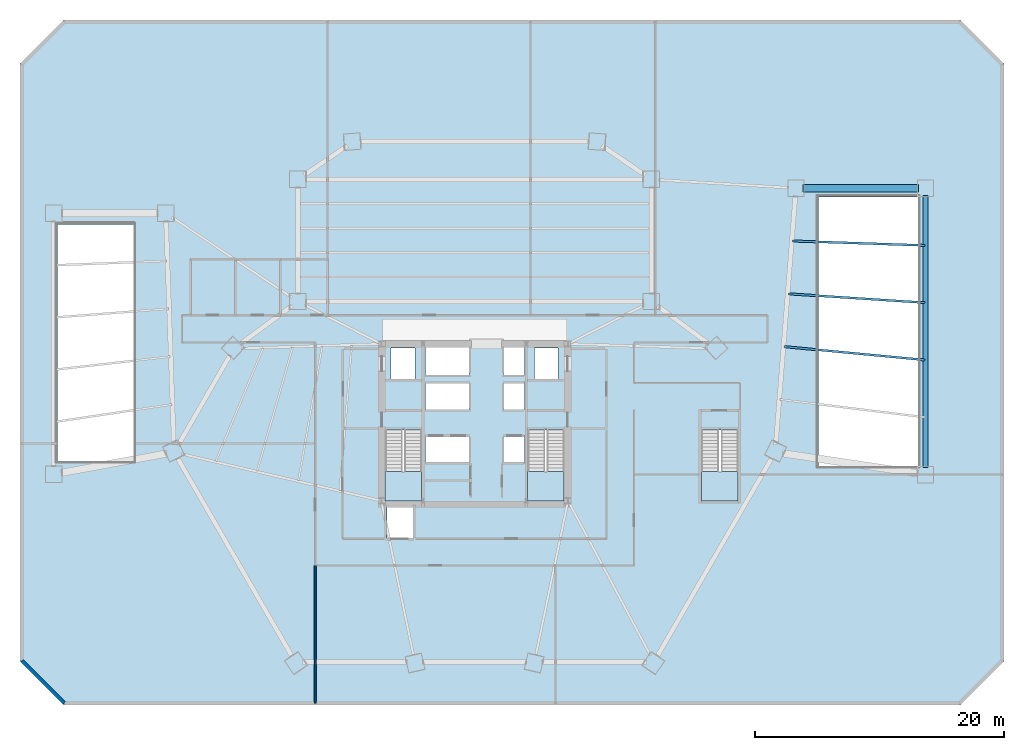
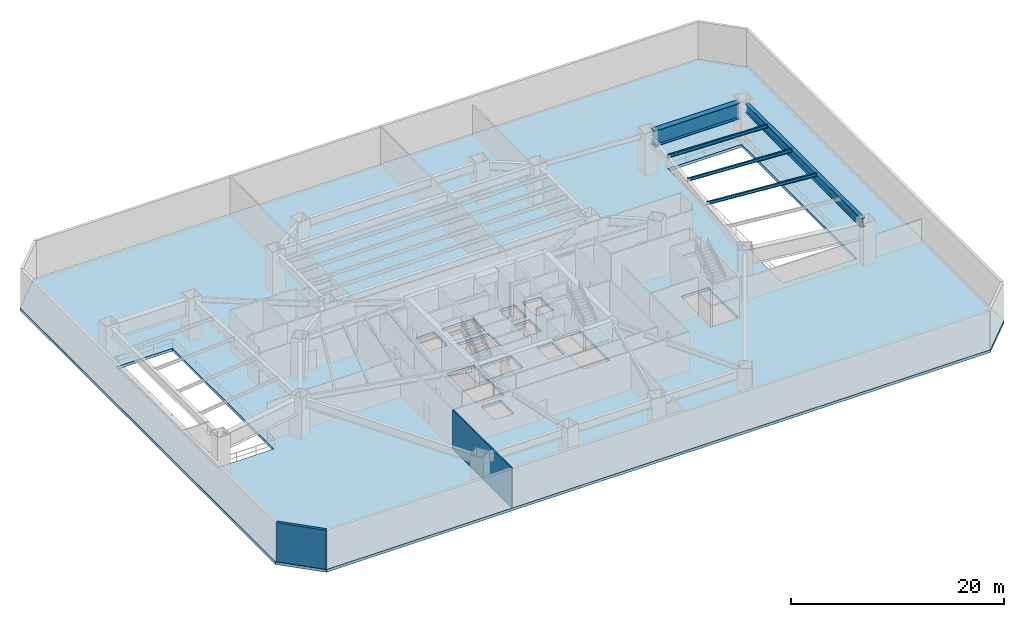
# One storey, part 4 of 11: 5 beams, 4 slabs, 2 walls, 3 elements without a shape of their own.
"""IFC4 building model written with IfcOpenShell, lengths in metres."""

from ifc_helpers import new_model, si_unit, direction, frame, frame_2d, origin, origin_2d, place, context, subcontext, project, spatial, polyline, rectangle, i_section, outline, extrude, source, transform, mapped, material, layer, layer_set, material_profile, profile_set, type_object, type_shapes, element, aggregate, save


model = new_model("IFC4")

# Units and contexts
model_context = context("Model", 3, precision=1e-05, world=origin(), true_north=direction((0.0, 1.0)))
body_context = subcontext(model_context, "Body", "Model", "MODEL_VIEW")
ifc_project = project(units=[si_unit("LENGTHUNIT", "METRE"), si_unit("AREAUNIT", "SQUARE_METRE"), si_unit("VOLUMEUNIT", "CUBIC_METRE"), si_unit("PLANEANGLEUNIT", "RADIAN"), si_unit("MASSUNIT", "GRAM", prefix="KILO")], contexts=[model_context])

# Site, building, storey
site_placement = place(None, origin())
site = spatial("IfcSite", under=ifc_project, at=site_placement, CompositionType="ELEMENT")
building_placement = place(site_placement, origin())
building = spatial("IfcBuilding", under=site, at=building_placement, Name="Caelisora Broadcast Tower", CompositionType="ELEMENT")
storey_placement = place(building_placement, frame((0.0, 0.0, 5.39990234375)))
storey = spatial("IfcBuildingStorey", under=building, at=storey_placement, Name="L01", CompositionType="ELEMENT", Elevation=5.39990234375)

# Beams
ifc_material_1 = material(Name="Steel Grade 350 (AS/NZS 3679.2)", Category="steel")
ifc_material_profile_1 = material_profile(ifc_material_1, i_section(OverallWidth=0.39990234375, OverallDepth=1.0, WebThickness=0.01611328125, FlangeThickness=0.028076171875, at=origin_2d()), Name="Steel Grade 350 (AS/NZS 3679.2)")
ifc_profile_set_1 = profile_set([ifc_material_profile_1], Name="Steel Grade 350 (AS/NZS 3679.2)")
beam_type_1 = type_object("IfcBeamType", Name="PG01", PredefinedType="BEAM", material=ifc_profile_set_1)
shared_shape_1 = source(origin(), body_context, "Body", "SweptSolid", [
    extrude(i_section(OverallWidth=0.39990234375, OverallDepth=1.0, WebThickness=0.01611328125, FlangeThickness=0.028076171875, at=origin_2d()), origin(), (0.0, 0.0, 1.0), 21.83984375),
])
type_shapes(beam_type_1, [shared_shape_1])
beam_1_placement = place(storey_placement, frame((74.199951171875, 20.080078125, 3.97998046875), z_axis=(0.0, 1.0, 0.0), x_axis=(-1.0, 0.0, 0.0)))
element("IfcBeam", 1, at=beam_1_placement, inside=storey, type_object=beam_type_1, Name="L01 beam PG01", PredefinedType="BEAM", context=body_context, shape_type="MappedRepresentation", body=[
    mapped(shared_shape_1, transform((0.0, 0.0, 0.0), scale=1.0)),
])
ifc_material_profile_2 = material_profile(ifc_material_1, i_section(OverallWidth=0.60009765625, OverallDepth=1.800048828125, WebThickness=0.02490234375, FlangeThickness=0.0400390625, at=origin_2d()), Name="Steel Grade 350 (AS/NZS 3679.2)")
ifc_profile_set_2 = profile_set([ifc_material_profile_2], Name="Steel Grade 350 (AS/NZS 3679.2)")
beam_type_2 = type_object("IfcBeamType", Name="TG01", PredefinedType="BEAM", material=ifc_profile_set_2)
shared_shape_2 = source(origin(), body_context, "Body", "SweptSolid", [
    extrude(i_section(OverallWidth=0.60009765625, OverallDepth=1.800048828125, WebThickness=0.02490234375, FlangeThickness=0.0400390625, at=origin_2d()), origin(), (0.0, 0.0, 1.0), 9.240234375),
])
type_shapes(beam_type_2, [shared_shape_2])
beam_2_placement = place(storey_placement, frame((64.3798828125, 42.5, 3.580078125), z_axis=(1.0, 0.0, 0.0), x_axis=(0.0, 1.0, 0.0)))
element("IfcBeam", 2, at=beam_2_placement, inside=storey, type_object=beam_type_2, Name="L01 beam TG01", PredefinedType="BEAM", context=body_context, shape_type="MappedRepresentation", body=[
    mapped(shared_shape_2, transform((0.0, 0.0, 0.0), scale=1.0)),
])
ifc_material_2 = material(Name="Steel Grade 350 (AS/NZS 3679.1)", Category="steel")
ifc_material_profile_3 = material_profile(ifc_material_2, i_section(OverallWidth=0.172119140625, OverallDepth=0.358642578125, WebThickness=0.008056640625, FlangeThickness=0.012939453125, at=origin_2d()), Name="Steel Grade 350 (AS/NZS 3679.1)")
ifc_profile_set_3 = profile_set([ifc_material_profile_3], Name="Steel Grade 350 (AS/NZS 3679.1)")
beam_type_3 = type_object("IfcBeamType", Name="SB02", PredefinedType="JOIST", material=ifc_profile_set_3)
shared_shape_3 = source(origin(), body_context, "Body", "SweptSolid", [
    extrude(i_section(OverallWidth=0.172119140625, OverallDepth=0.358642578125, WebThickness=0.008056640625, FlangeThickness=0.012939453125, at=origin_2d()), origin(), (0.0, 0.0, 1.0), 11.336181640625),
])
beam_3_placement = place(storey_placement, frame((62.85498046875, 29.7763671875, 4.30078125), z_axis=(0.995530733229, -0.094438123639, 0.0), x_axis=(0.094438123639, 0.995530733229, 0.0)))
element("IfcBeam", 3, at=beam_3_placement, inside=storey, type_object=beam_type_3, Name="L01 beam SB02", PredefinedType="JOIST", context=body_context, shape_type="MappedRepresentation", body=[
    mapped(shared_shape_3, transform((0.0, 0.0, 0.0), scale=1.0)),
])
shared_shape_4 = source(origin(), body_context, "Body", "SweptSolid", [
    extrude(i_section(OverallWidth=0.172119140625, OverallDepth=0.358642578125, WebThickness=0.008056640625, FlangeThickness=0.012939453125, at=origin_2d()), origin(), (0.0, 0.0, 1.0), 10.973388671875),
])
beam_4_placement = place(storey_placement, frame((63.18994140625, 34.017333984375, 4.30078125), z_axis=(0.997884626522, -0.065009785042, 0.0), x_axis=(0.065009785042, 0.997884626522, 0.0)))
element("IfcBeam", 4, at=beam_4_placement, inside=storey, type_object=beam_type_3, Name="L01 beam SB02", PredefinedType="JOIST", context=body_context, shape_type="MappedRepresentation", body=[
    mapped(shared_shape_4, transform((0.0, 0.0, 0.0), scale=1.0)),
])
shared_shape_5 = source(origin(), body_context, "Body", "SweptSolid", [
    extrude(i_section(OverallWidth=0.172119140625, OverallDepth=0.358642578125, WebThickness=0.008056640625, FlangeThickness=0.012939453125, at=origin_2d()), origin(), (0.0, 0.0, 1.0), 10.62109375),
])
type_shapes(beam_type_3, [shared_shape_3, shared_shape_4, shared_shape_5])
beam_5_placement = place(storey_placement, frame((63.52490234375, 38.258544921875, 4.30078125), z_axis=(0.999436687309, -0.033560513431, 0.0), x_axis=(0.033560513431, 0.999436687309, 0.0)))
element("IfcBeam", 5, at=beam_5_placement, inside=storey, type_object=beam_type_3, Name="L01 beam SB02", PredefinedType="JOIST", context=body_context, shape_type="MappedRepresentation", body=[
    mapped(shared_shape_5, transform((0.0, 0.0, 0.0), scale=1.0)),
])

# Slab
ifc_material_3 = material(Name="Concrete 40 MPa (AS 3600 N40)", Category="concrete")
ifc_layer_1 = layer(ifc_material_3, 0.320068359375, Name="Concrete 40 MPa (AS 3600 N40)")
ifc_layer_set_1 = layer_set([ifc_layer_1], Name="Concrete 40 MPa (AS 3600 N40)")
slab_type_1 = type_object("IfcSlabType", Name="SL01", PredefinedType="FLOOR", material=ifc_layer_set_1)
slab_1_placement = place(storey_placement, frame((0.0, 0.0, -0.31982421875)))
element("IfcSlab", 6, at=slab_1_placement, inside=storey, type_object=slab_type_1, Name="L01 suspended floor SL01", PredefinedType="FLOOR", context=body_context, shape_type="SweptSolid", body=[
    extrude(outline(polyline([(5.0, 1.0), (77.0, 1.0), (80.5, 4.5), (80.5, 52.5), (77.0, 56.0), (5.0, 56.0), (1.5, 52.5), (1.5, 4.5), (5.0, 1.0)]), holes=[polyline([(30.820068359375, 17.39990234375), (33.739990234375, 17.39990234375), (33.739990234375, 23.080078125), (30.820068359375, 23.080078125), (30.820068359375, 17.39990234375)]), polyline([(42.260009765625, 17.39990234375), (45.179931640625, 17.39990234375), (45.179931640625, 23.080078125), (42.260009765625, 23.080078125), (42.260009765625, 17.39990234375)]), polyline([(56.199951171875, 17.39990234375), (59.159912109375, 17.39990234375), (59.159912109375, 23.080078125), (56.199951171875, 23.080078125), (56.199951171875, 17.39990234375)]), polyline([(42.800048828125, 27.14990234375), (44.699951171875, 27.14990234375), (44.699951171875, 29.64990234375), (42.800048828125, 29.64990234375), (42.800048828125, 27.14990234375)]), polyline([(40.300048828125, 20.429931640625), (42.0, 20.429931640625), (42.0, 22.6298828125), (40.300048828125, 22.6298828125), (40.300048828125, 20.429931640625)]), polyline([(40.300048828125, 24.719970703125), (42.0, 24.719970703125), (42.0, 26.919921875), (40.300048828125, 26.919921875), (40.300048828125, 24.719970703125)]), polyline([(40.300048828125, 27.5), (42.0, 27.5), (42.0, 29.699951171875), (40.300048828125, 29.699951171875), (40.300048828125, 27.5)]), polyline([(34.050048828125, 27.5), (37.550048828125, 27.5), (37.550048828125, 29.699951171875), (34.050048828125, 29.699951171875), (34.050048828125, 27.5)]), polyline([(34.050048828125, 20.429931640625), (37.550048828125, 20.429931640625), (37.550048828125, 22.6298828125), (34.050048828125, 22.6298828125), (34.050048828125, 20.429931640625)]), polyline([(34.050048828125, 24.719970703125), (37.550048828125, 24.719970703125), (37.550048828125, 26.919921875), (34.050048828125, 26.919921875), (34.050048828125, 24.719970703125)]), polyline([(31.300048828125, 27.14990234375), (33.199951171875, 27.14990234375), (33.199951171875, 29.64990234375), (31.300048828125, 29.64990234375), (31.300048828125, 27.14990234375)]), polyline([(30.949951171875, 14.35009765625), (33.050048828125, 14.35009765625), (33.050048828125, 16.85009765625), (30.949951171875, 16.85009765625), (30.949951171875, 14.35009765625)]), polyline([(4.5, 20.60009765625), (10.60009765625, 20.60009765625), (10.60009765625, 39.60009765625), (4.5, 39.60009765625), (4.5, 20.60009765625)]), polyline([(65.60009765625, 20.199951171875), (73.60009765625, 20.199951171875), (73.60009765625, 41.800048828125), (65.60009765625, 41.800048828125), (65.60009765625, 20.199951171875)])]), origin(), (0.0, 0.0, 1.0), 0.31982421875),
])

# Stair, slab
stair_type_1 = type_object("IfcStairType", Name="ST-1", PredefinedType="HALF_TURN_STAIR", material=ifc_material_3)
stair_1_placement = place(storey_placement, origin())
stair_1 = element("IfcStair", 7, at=stair_1_placement, inside=storey, type_object=stair_type_1, Name="L01 West Fire-Isolated Tower Stair", PredefinedType="HALF_TURN_STAIR")
ifc_layer_2 = layer(ifc_material_3, 0.199951171875, Name="Concrete 40 MPa (AS 3600 N40)")
ifc_layer_set_2 = layer_set([ifc_layer_2], Name="Concrete 40 MPa (AS 3600 N40)")
slab_type_2 = type_object("IfcSlabType", Name="STL-1", PredefinedType="LANDING", material=ifc_layer_set_2)
slab_2_placement = place(storey_placement, frame((0.0, 0.0, 2.2001953125)))
slab_2 = element("IfcSlab", 8, at=slab_2_placement, type_object=slab_type_2, Name="ST-1 landing 1", PredefinedType="LANDING", context=body_context, shape_type="SweptSolid", body=[
    extrude(outline(polyline([(30.820068359375, 19.739990234375), (30.820068359375, 17.39990234375), (33.739990234375, 17.39990234375), (33.739990234375, 19.739990234375), (30.820068359375, 19.739990234375)])), origin(), (0.0, 0.0, 1.0), 0.199951171875),
])
aggregate(stair_1, [slab_2])

stair_type_2 = type_object("IfcStairType", Name="ST-2", PredefinedType="HALF_TURN_STAIR", material=ifc_material_3)
stair_2_placement = place(storey_placement, origin())
stair_2 = element("IfcStair", 9, at=stair_2_placement, inside=storey, type_object=stair_type_2, Name="L01 East Fire-Isolated Tower Stair", PredefinedType="HALF_TURN_STAIR")
slab_3_placement = place(storey_placement, frame((0.0, 0.0, 2.2001953125)))
slab_3 = element("IfcSlab", 10, at=slab_3_placement, type_object=slab_type_2, Name="ST-2 landing 1", PredefinedType="LANDING", context=body_context, shape_type="SweptSolid", body=[
    extrude(outline(polyline([(42.260009765625, 19.739990234375), (42.260009765625, 17.39990234375), (45.179931640625, 17.39990234375), (45.179931640625, 19.739990234375), (42.260009765625, 19.739990234375)])), origin(), (0.0, 0.0, 1.0), 0.199951171875),
])
aggregate(stair_2, [slab_3])

stair_type_3 = type_object("IfcStairType", Name="ST-3", PredefinedType="HALF_TURN_STAIR", material=ifc_material_3)
stair_3_placement = place(storey_placement, origin())
stair_3 = element("IfcStair", 11, at=stair_3_placement, inside=storey, type_object=stair_type_3, Name="L01 Podium Broadcast Studio Exit Stair", PredefinedType="HALF_TURN_STAIR")
slab_4_placement = place(storey_placement, frame((0.0, 0.0, 2.2001953125)))
slab_4 = element("IfcSlab", 12, at=slab_4_placement, type_object=slab_type_2, Name="ST-3 landing 1", PredefinedType="LANDING", context=body_context, shape_type="SweptSolid", body=[
    extrude(outline(polyline([(56.199951171875, 19.739990234375), (56.199951171875, 17.39990234375), (59.159912109375, 17.39990234375), (59.159912109375, 19.739990234375), (56.199951171875, 19.739990234375)])), origin(), (0.0, 0.0, 1.0), 0.199951171875),
])
aggregate(stair_3, [slab_4])

# Walls
ifc_material_4 = material(Name="Insulated Terracotta Spandrel Wall System", Category="masonry")
ifc_layer_3 = layer(ifc_material_4, 0.280029296875, Name="Insulated Terracotta Spandrel Wall System")
ifc_layer_set_3 = layer_set([ifc_layer_3], Name="Insulated Terracotta Spandrel Wall System")
wall_type_1 = type_object("IfcWallType", Name="EW1", PredefinedType="STANDARD", material=ifc_layer_set_3)
wall_1_placement = place(storey_placement, frame((5.06591796875, 1.159912109375, 0.0), z_axis=(0.0, 0.0, 1.0), x_axis=(-0.707106781187, 0.707106781187, 0.0)))
element("IfcWall", 13, at=wall_1_placement, inside=storey, type_object=wall_type_1, Name="L01 exterior envelope wall EW1", PredefinedType="STANDARD", context=body_context, shape_type="SweptSolid", body=[
    extrude(rectangle(XDim=4.81689453125, YDim=0.280029296875, at=frame_2d((2.408447265625, 0.0))), origin(), (0.0, 0.0, 1.0), 4.47998046875),
])
ifc_material_5 = material(Name="Acoustic Steel-Stud Plasterboard Partition", Category="gypsum")
ifc_layer_4 = layer(ifc_material_5, 0.1298828125, Name="Acoustic Steel-Stud Plasterboard Partition")
ifc_layer_set_4 = layer_set([ifc_layer_4], Name="Acoustic Steel-Stud Plasterboard Partition")
wall_type_2 = type_object("IfcWallType", Name="PW3", PredefinedType="PARTITIONING", material=ifc_layer_set_4)
wall_2_placement = place(storey_placement, frame((25.199951171875, 1.159912109375, 0.0), z_axis=(0.0, 0.0, 1.0), x_axis=(0.0, 1.0, 0.0)))
element("IfcWall", 14, at=wall_2_placement, inside=storey, type_object=wall_type_2, Name="L01 internal partition PW3", PredefinedType="PARTITIONING", context=body_context, shape_type="SweptSolid", body=[
    extrude(rectangle(XDim=11.03515625, YDim=0.1298828125, at=frame_2d((5.517578125, 0.0))), origin(), (0.0, 0.0, 1.0), 4.47998046875),
])

save(model, "model.ifc")
